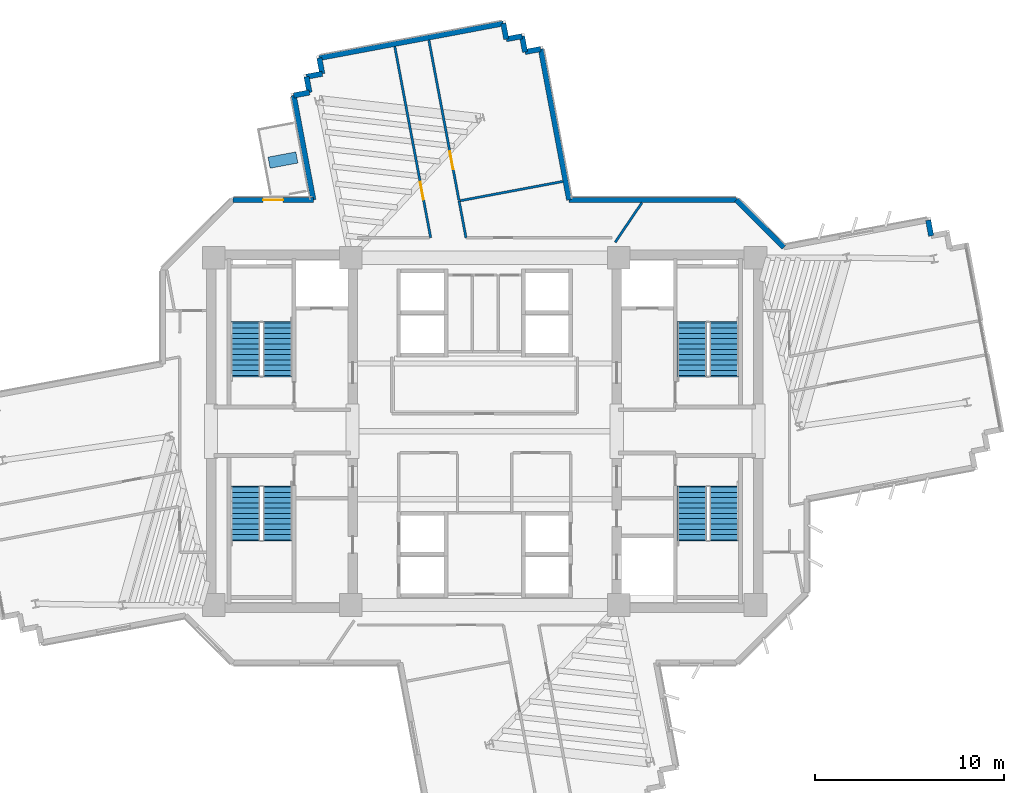
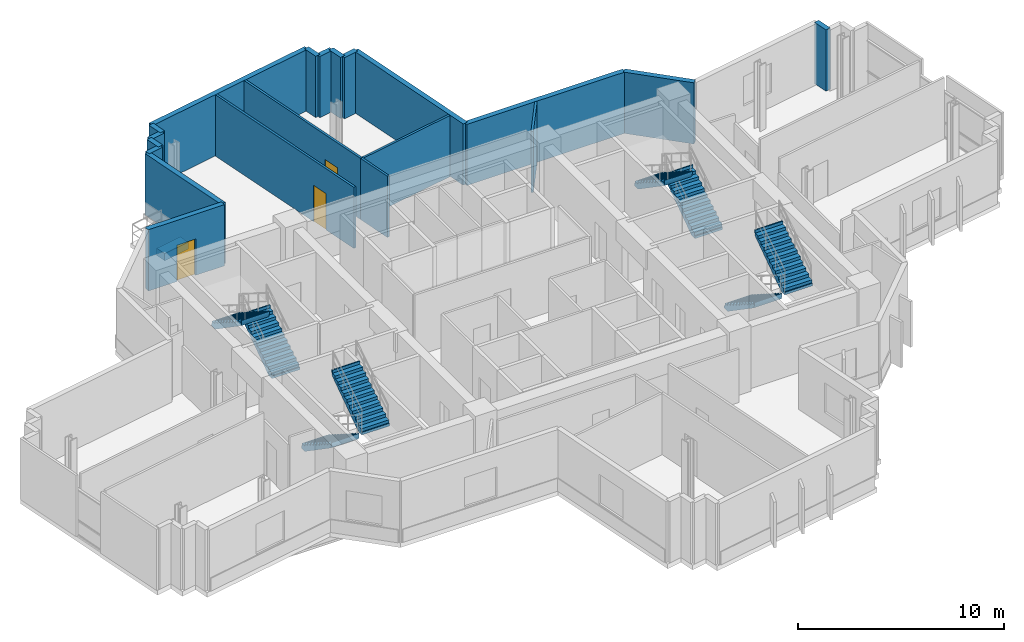
# One storey, part 12 of 16: 20 walls, 8 stair flights, 3 doors, 1 discrete accessory, 3 openings, 4 elements without a shape of their own.
"""IFC4 building model written with IfcOpenShell, lengths in metres."""

from ifc_helpers import new_model, si_unit, direction, frame, frame_2d, origin, origin_2d, place, context, subcontext, project, spatial, polyline, rectangle, outline, extrude, source, transform, mapped, material, layer, layer_set, type_object, element, fill, aggregate, save


model = new_model("IFC4")

# Units and contexts
model_context = context("Model", 3, precision=1e-05, world=origin(), true_north=direction((0.0, 1.0)))
body_context = subcontext(model_context, "Body", "Model", "MODEL_VIEW")
ifc_project = project(units=[si_unit("LENGTHUNIT", "METRE"), si_unit("AREAUNIT", "SQUARE_METRE"), si_unit("VOLUMEUNIT", "CUBIC_METRE"), si_unit("PLANEANGLEUNIT", "RADIAN"), si_unit("MASSUNIT", "GRAM", prefix="KILO")], contexts=[model_context])

# Site, building, storey
site_placement = place(None, origin())
site = spatial("IfcSite", under=ifc_project, at=site_placement, CompositionType="ELEMENT")
building_placement = place(site_placement, origin())
building = spatial("IfcBuilding", under=site, at=building_placement, Name="Zahravan Cultural Tower", CompositionType="ELEMENT")
storey_placement = place(building_placement, frame((0.0, 0.0, 147.300048828125)))
storey = spatial("IfcBuildingStorey", under=building, at=storey_placement, Name="L33", CompositionType="ELEMENT", Elevation=147.300048828125)

# Wall, opening, door
ifc_material_1 = material(Name="Precast concrete C40/50", Category="concrete")
ifc_layer_1 = layer(ifc_material_1, 0.280029296875)
ifc_layer_set_1 = layer_set([ifc_layer_1], Name="Precast concrete C40/50")
wall_type_1 = type_object("IfcWallType", Name="EW-TC-280", PredefinedType="SOLIDWALL", material=ifc_layer_set_1)
wall_1_placement = place(storey_placement, frame((22.657958984375, 39.260009765625, 0.0), z_axis=(0.0, 0.0, 1.0), x_axis=(1.0, 0.0, 0.0)))
wall_1 = element("IfcWall", 1, at=wall_1_placement, inside=storey, type_object=wall_type_1, Name="L33 Exterior Masonry Frame Wall 39", PredefinedType="SOLIDWALL", context=body_context, shape_type="SweptSolid", body=[
    extrude(rectangle(XDim=4.262451171875, YDim=0.280029296875, at=frame_2d((2.13134765625, 0.0))), origin(), (0.0, 0.0, 1.0), 3.619873046875),
])
opening_1_placement = place(wall_1_placement, frame((1.60595703125, 0.0, 0.0)))
opening_1 = element("IfcOpeningElement", 2, at=opening_1_placement, cuts=wall_1, Name="Opening D-L33-TR-NW", PredefinedType="OPENING", context=body_context, shape_type="SweptSolid", body=[
    extrude(rectangle(XDim=1.050048828125, YDim=2.14990234375, at=frame_2d((0.52490234375, 1.074951171875))), frame((0.0, 0.14990234375, 0.0), z_axis=(0.0, -1.0, 0.0), x_axis=(1.0, 0.0, 0.0)), (0.0, 0.0, 1.0), 0.300048828125),
])
ifc_material_2 = material(Name="Anodised bronze-aluminium mullion", Category="aluminium")
door_type_1 = type_object("IfcDoorType", Name="DR-TERR-1050", OperationType="NOTDEFINED", PredefinedType="DOOR", material=ifc_material_2)
shared_shape_1 = source(origin(), body_context, "Body", "SweptSolid", [
    extrude(rectangle(XDim=1.050048828125, YDim=2.14990234375, at=frame_2d((0.52490234375, 1.074951171875))), frame((0.0, 0.02490234375, 0.0), z_axis=(0.0, -1.0, 0.0), x_axis=(1.0, 0.0, 0.0)), (0.0, 0.0, 1.0), 0.050048828125),
])
door_1_placement = place(opening_1_placement, origin())
door_1 = element("IfcDoor", 3, at=door_1_placement, inside=storey, type_object=door_type_1, Name="L33 Terrace Access Door NW", OperationType="SINGLE_SWING_RIGHT", OverallHeight=2.14990234375, OverallWidth=1.050048828125, PredefinedType="DOOR", context=body_context, shape_type="MappedRepresentation", body=[
    mapped(shared_shape_1, transform((0.0, 0.0, 0.0), x_axis=(1.0, 0.0, 0.0), y_axis=(0.0, 1.0, 0.0), z_axis=(0.0, 0.0, 1.0), scale=1.0)),
])
fill(opening_1, door_1)

ifc_material_3 = material(Name="Gypsum plasterboard partition")
ifc_layer_2 = layer(ifc_material_3, 0.125)
ifc_layer_set_2 = layer_set([ifc_layer_2], Name="Gypsum plasterboard partition")
wall_type_2 = type_object("IfcWallType", Name="W-PART-125", PredefinedType="PARTITIONING", material=ifc_layer_set_2)
wall_2_placement = place(storey_placement, frame((34.638671875, 39.22900390625, 0.0), z_axis=(0.0, 0.0, 1.0), x_axis=(-0.18463806937, 0.982806584908, 0.0)))
wall_2 = element("IfcWall", 4, at=wall_2_placement, inside=storey, type_object=wall_type_2, Name="L33 Interior Wall 087", PredefinedType="PARTITIONING", context=body_context, shape_type="SweptSolid", body=[
    extrude(rectangle(XDim=8.64501953125, YDim=0.125, at=frame_2d((4.322509765625, 0.0))), origin(), (0.0, 0.0, 1.0), 3.619873046875),
])
opening_2_placement = place(wall_2_placement, frame((1.69287109375, 0.0, 0.0)))
opening_2 = element("IfcOpeningElement", 5, at=opening_2_placement, cuts=wall_2, Name="Opening D-L33-22", PredefinedType="OPENING", context=body_context, shape_type="SweptSolid", body=[
    extrude(rectangle(XDim=0.949951171875, YDim=2.14990234375, at=frame_2d((0.47509765625, 1.074951171875))), frame((0.0, 0.072509765625, 0.0), z_axis=(0.0, -1.0, 0.0), x_axis=(1.0, 0.0, 0.0)), (0.0, 0.0, 1.0), 0.14501953125),
])
door_type_2 = type_object("IfcDoorType", Name="DR-ROOM-950", OperationType="NOTDEFINED", PredefinedType="DOOR", material=ifc_material_2)
shared_shape_2 = source(origin(), body_context, "Body", "SweptSolid", [
    extrude(rectangle(XDim=0.949951171875, YDim=2.14990234375, at=frame_2d((0.47509765625, 1.074951171875))), frame((0.0, 0.02490234375, 0.0), z_axis=(0.0, -1.0, 0.0), x_axis=(1.0, 0.0, 0.0)), (0.0, 0.0, 1.0), 0.050048828125),
])
door_2_placement = place(opening_2_placement, origin())
door_2 = element("IfcDoor", 6, at=door_2_placement, inside=storey, type_object=door_type_2, Name="L33 Door D-L33-22", OperationType="SINGLE_SWING_RIGHT", OverallHeight=2.14990234375, OverallWidth=0.949951171875, PredefinedType="DOOR", context=body_context, shape_type="MappedRepresentation", body=[
    mapped(shared_shape_2, transform((0.0, 0.0, 0.0), x_axis=(1.0, 0.0, 0.0), y_axis=(0.0, 1.0, 0.0), z_axis=(0.0, 0.0, 1.0), scale=1.0)),
])
fill(opening_2, door_2)

wall_3_placement = place(storey_placement, frame((31.234130859375, 47.385498046875, 0.0), z_axis=(0.0, 0.0, 1.0), x_axis=(0.184646211839, -0.982805055163, 0.0)))
wall_3 = element("IfcWall", 7, at=wall_3_placement, inside=storey, type_object=wall_type_2, Name="L33 Interior Wall 099", PredefinedType="PARTITIONING", context=body_context, shape_type="SweptSolid", body=[
    extrude(rectangle(XDim=10.302734375, YDim=0.125, at=frame_2d((5.1513671875, 0.0))), origin(), (0.0, 0.0, 1.0), 3.619873046875),
])
opening_3_placement = place(wall_3_placement, frame((7.295166015625, 0.0, 0.0)))
opening_3 = element("IfcOpeningElement", 8, at=opening_3_placement, cuts=wall_3, Name="Opening D-L33-23", PredefinedType="OPENING", context=body_context, shape_type="SweptSolid", body=[
    extrude(rectangle(XDim=0.949951171875, YDim=2.14990234375, at=frame_2d((0.47509765625, 1.074951171875))), frame((0.0, 0.072509765625, 0.0), z_axis=(0.0, -1.0, 0.0), x_axis=(1.0, 0.0, 0.0)), (0.0, 0.0, 1.0), 0.14501953125),
])
door_3_placement = place(opening_3_placement, origin())
door_3 = element("IfcDoor", 9, at=door_3_placement, inside=storey, type_object=door_type_2, Name="L33 Door D-L33-23", OperationType="SINGLE_SWING_LEFT", OverallHeight=2.14990234375, OverallWidth=0.949951171875, PredefinedType="DOOR", context=body_context, shape_type="MappedRepresentation", body=[
    mapped(shared_shape_2, transform((0.0, 0.0, 0.0), x_axis=(1.0, 0.0, 0.0), y_axis=(0.0, 1.0, 0.0), z_axis=(0.0, 0.0, 1.0), scale=1.0)),
])
fill(opening_3, door_3)

# Walls
shared_shape_3 = source(origin(), body_context, "Body", "SweptSolid", [
    extrude(rectangle(XDim=0.85009765625, YDim=0.280029296875, at=frame_2d((0.425048828125, 0.0))), origin(), (0.0, 0.0, 1.0), 3.619873046875),
])
for number, where, z_axis, x_axis, name in (
    (10, (59.497802734375, 38.19091796875, 0.0), (0.0, 0.0, 1.0), (0.184670010318, -0.982800583684, 0.0), "L33 Exterior Masonry Frame Wall 02"),
    (11, (25.8798828125, 44.79736328125, 0.0), (0.0, 0.0, 1.0), (0.982800583684, 0.184670010318, 0.0), "L33 Exterior Masonry Frame Wall 41"),
    (12, (26.71533203125, 44.954345703125, 0.0), (0.0, 0.0, 1.0), (-0.184670010318, 0.982800583684, 0.0), "L33 Exterior Masonry Frame Wall 42"),
    (13, (26.558349609375, 45.789794921875, 0.0), (0.0, 0.0, 1.0), (0.982800583684, 0.184670010318, 0.0), "L33 Exterior Masonry Frame Wall 43"),
    (14, (27.393798828125, 45.94677734375, 0.0), (0.0, 0.0, 1.0), (-0.184670010318, 0.982800583684, 0.0), "L33 Exterior Masonry Frame Wall 44"),
    (15, (36.986083984375, 48.61376953125, 0.0), (0.0, 0.0, 1.0), (0.184670010318, -0.982800583684, 0.0), "L33 Exterior Masonry Frame Wall 46"),
    (16, (37.14306640625, 47.7783203125, 0.0), (0.0, 0.0, 1.0), (0.982800583684, 0.184670010318, 0.0), "L33 Exterior Masonry Frame Wall 47"),
    (17, (37.978515625, 47.935302734375, 0.0), (0.0, 0.0, 1.0), (0.184670010318, -0.982800583684, 0.0), "L33 Exterior Masonry Frame Wall 48"),
    (18, (38.135498046875, 47.099853515625, 0.0), (0.0, 0.0, 1.0), (0.982800583684, 0.184670010318, 0.0), "L33 Exterior Masonry Frame Wall 49"),
):
    element("IfcWall", number, at=place(storey_placement, frame(where, z_axis=z_axis, x_axis=x_axis)), inside=storey, type_object=wall_type_1, Name=name, PredefinedType="SOLIDWALL", context=body_context, shape_type="MappedRepresentation", body=[
        mapped(shared_shape_3, transform((0.0, 0.0, 0.0), x_axis=(1.0, 0.0, 0.0), y_axis=(0.0, 1.0, 0.0), z_axis=(0.0, 0.0, 1.0), scale=1.0)),
    ])
shared_shape_4 = source(origin(), body_context, "Body", "SweptSolid", [
    extrude(rectangle(XDim=9.919921875, YDim=0.280029296875, at=frame_2d((4.9599609375, 0.0))), origin(), (0.0, 0.0, 1.0), 3.619873046875),
])
wall_4_placement = place(storey_placement, frame((27.23681640625, 46.7822265625, 0.0), z_axis=(0.0, 0.0, 1.0), x_axis=(0.982807207568, 0.184634754994, 0.0)))
element("IfcWall", 19, at=wall_4_placement, inside=storey, type_object=wall_type_1, Name="L33 Exterior Masonry Frame Wall 45", PredefinedType="SOLIDWALL", context=body_context, shape_type="MappedRepresentation", body=[
    mapped(shared_shape_4, transform((0.0, 0.0, 0.0), x_axis=(1.0, 0.0, 0.0), y_axis=(0.0, 1.0, 0.0), z_axis=(0.0, 0.0, 1.0), scale=1.0)),
])
shared_shape_5 = source(origin(), body_context, "Body", "SweptSolid", [
    extrude(rectangle(XDim=5.63427734375, YDim=0.280029296875, at=frame_2d((2.817138671875, 0.0))), origin(), (0.0, 0.0, 1.0), 3.619873046875),
])
wall_5_placement = place(storey_placement, frame((26.92041015625, 39.260009765625, 0.0), z_axis=(0.0, 0.0, 1.0), x_axis=(-0.184678339457, 0.982799018587, 0.0)))
element("IfcWall", 20, at=wall_5_placement, inside=storey, type_object=wall_type_1, Name="L33 Exterior Masonry Frame Wall 40", PredefinedType="SOLIDWALL", context=body_context, shape_type="MappedRepresentation", body=[
    mapped(shared_shape_5, transform((0.0, 0.0, 0.0), x_axis=(1.0, 0.0, 0.0), y_axis=(0.0, 1.0, 0.0), z_axis=(0.0, 0.0, 1.0), scale=1.0)),
])
shared_shape_6 = source(origin(), body_context, "Body", "SweptSolid", [
    extrude(rectangle(XDim=8.13671875, YDim=0.280029296875, at=frame_2d((4.068359375, 0.0))), origin(), (0.0, 0.0, 1.0), 3.619873046875),
])
wall_6_placement = place(storey_placement, frame((38.970947265625, 47.2568359375, 0.0), z_axis=(0.0, 0.0, 1.0), x_axis=(0.184649032166, -0.982804525285, 0.0)))
element("IfcWall", 21, at=wall_6_placement, inside=storey, type_object=wall_type_1, Name="L33 Exterior Masonry Frame Wall 50", PredefinedType="SOLIDWALL", context=body_context, shape_type="MappedRepresentation", body=[
    mapped(shared_shape_6, transform((0.0, 0.0, 0.0), x_axis=(1.0, 0.0, 0.0), y_axis=(0.0, 1.0, 0.0), z_axis=(0.0, 0.0, 1.0), scale=1.0)),
])
shared_shape_7 = source(origin(), body_context, "Body", "SweptSolid", [
    extrude(rectangle(XDim=8.86865234375, YDim=0.280029296875, at=frame_2d((4.434326171875, 0.0))), origin(), (0.0, 0.0, 1.0), 3.619873046875),
])
wall_7_placement = place(storey_placement, frame((40.473388671875, 39.260009765625, 0.0), z_axis=(0.0, 0.0, 1.0), x_axis=(1.0, 0.0, 0.0)))
element("IfcWall", 22, at=wall_7_placement, inside=storey, type_object=wall_type_1, Name="L33 Exterior Masonry Frame Wall 51", PredefinedType="SOLIDWALL", context=body_context, shape_type="MappedRepresentation", body=[
    mapped(shared_shape_7, transform((0.0, 0.0, 0.0), x_axis=(1.0, 0.0, 0.0), y_axis=(0.0, 1.0, 0.0), z_axis=(0.0, 0.0, 1.0), scale=1.0)),
])
shared_shape_8 = source(origin(), body_context, "Body", "SweptSolid", [
    extrude(rectangle(XDim=3.544189453125, YDim=0.280029296875, at=frame_2d((1.77197265625, 0.0))), origin(), (0.0, 0.0, 1.0), 3.619873046875),
])
wall_8_placement = place(storey_placement, frame((49.342041015625, 39.260009765625, 0.0), z_axis=(0.0, 0.0, 1.0), x_axis=(0.707106781187, -0.707106781187, 0.0)))
element("IfcWall", 23, at=wall_8_placement, inside=storey, type_object=wall_type_1, Name="L33 Exterior Masonry Frame Wall 52", PredefinedType="SOLIDWALL", context=body_context, shape_type="MappedRepresentation", body=[
    mapped(shared_shape_8, transform((0.0, 0.0, 0.0), x_axis=(1.0, 0.0, 0.0), y_axis=(0.0, 1.0, 0.0), z_axis=(0.0, 0.0, 1.0), scale=1.0)),
])
shared_shape_9 = source(origin(), body_context, "Body", "SweptSolid", [
    extrude(rectangle(XDim=1.9833984375, YDim=0.125, at=frame_2d((0.99169921875, 0.0))), origin(), (0.0, 0.0, 1.0), 3.619873046875),
])
wall_9_placement = place(storey_placement, frame((35.008544921875, 37.260009765625, 0.0), z_axis=(0.0, 0.0, 1.0), x_axis=(-0.184645271511, 0.982805231828, 0.0)))
element("IfcWall", 24, at=wall_9_placement, inside=storey, type_object=wall_type_2, Name="L33 Interior Wall 077", PredefinedType="PARTITIONING", context=body_context, shape_type="MappedRepresentation", body=[
    mapped(shared_shape_9, transform((0.0, 0.0, 0.0), x_axis=(1.0, 0.0, 0.0), y_axis=(0.0, 1.0, 0.0), z_axis=(0.0, 0.0, 1.0), scale=1.0)),
])
shared_shape_10 = source(origin(), body_context, "Body", "SweptSolid", [
    extrude(rectangle(XDim=5.52734375, YDim=0.125, at=frame_2d((2.763671875, 0.0))), origin(), (0.0, 0.0, 1.0), 3.619873046875),
])
wall_10_placement = place(storey_placement, frame((34.708740234375, 39.2216796875, 0.0), z_axis=(0.0, 0.0, 1.0), x_axis=(0.982808624954, 0.184627210117, 0.0)))
element("IfcWall", 25, at=wall_10_placement, inside=storey, type_object=wall_type_2, Name="L33 Interior Wall 078", PredefinedType="PARTITIONING", context=body_context, shape_type="MappedRepresentation", body=[
    mapped(shared_shape_10, transform((0.0, 0.0, 0.0), x_axis=(1.0, 0.0, 0.0), y_axis=(0.0, 1.0, 0.0), z_axis=(0.0, 0.0, 1.0), scale=1.0)),
])
shared_shape_11 = source(origin(), body_context, "Body", "SweptSolid", [
    extrude(rectangle(XDim=2.529541015625, YDim=0.125, at=frame_2d((1.2646484375, 0.0))), origin(), (0.0, 0.0, 1.0), 3.619873046875),
])
wall_11_placement = place(storey_placement, frame((44.330322265625, 39.114990234375, 0.0), z_axis=(0.0, 0.0, 1.0), x_axis=(-0.560455418396, -0.82818459536, 0.0)))
element("IfcWall", 26, at=wall_11_placement, inside=storey, type_object=wall_type_2, Name="L33 Interior Wall 079", PredefinedType="PARTITIONING", context=body_context, shape_type="MappedRepresentation", body=[
    mapped(shared_shape_11, transform((0.0, 0.0, 0.0), x_axis=(1.0, 0.0, 0.0), y_axis=(0.0, 1.0, 0.0), z_axis=(0.0, 0.0, 1.0), scale=1.0)),
])

# Stair, stair flights
ifc_material_4 = material(Name="Concrete C45/55", Category="concrete")
stair_type = type_object("IfcStairType", Name="STR-DL-1550-390", PredefinedType="HALF_TURN_STAIR", material=ifc_material_4)
stair_1_placement = place(storey_placement, origin())
stair_1 = element("IfcStair", 27, at=stair_1_placement, inside=storey, type_object=stair_type, Name="L33 West Core North Exit Stair ST-W1", PredefinedType="HALF_TURN_STAIR")
stair_flight_type = type_object("IfcStairFlightType", Name="FLG-DL-1550-390", PredefinedType="STRAIGHT", material=ifc_material_4)
stair_flight_1_placement = place(storey_placement, frame((25.02490234375, 29.949951171875, 0.0), z_axis=(0.0, 0.0, 1.0), x_axis=(0.0, 1.0, 0.0)))
stair_flight_1 = element("IfcStairFlight", 28, at=stair_flight_1_placement, type_object=stair_flight_type, Name="ST-W1 flight 1", NumberOfRisers=11, NumberOfTreads=10, PredefinedType="STRAIGHT", RiserHeight=0.177272727, TreadLength=0.28, context=body_context, shape_type="SweptSolid", body=[
    extrude(outline(polyline([(-0.06494140625, -0.139892578125), (-0.06494140625, 0.0), (0.0, 0.0), (0.0, 0.17724609375), (0.280029296875, 0.17724609375), (0.280029296875, 0.3544921875), (0.56005859375, 0.3544921875), (0.56005859375, 0.53173828125), (0.840087890625, 0.53173828125), (0.840087890625, 0.708984375), (1.1201171875, 0.708984375), (1.1201171875, 0.886474609375), (1.39990234375, 0.886474609375), (1.39990234375, 1.063720703125), (1.679931640625, 1.063720703125), (1.679931640625, 1.240966796875), (1.9599609375, 1.240966796875), (1.9599609375, 1.418212890625), (2.239990234375, 1.418212890625), (2.239990234375, 1.595458984375), (2.52001953125, 1.595458984375), (2.52001953125, 1.772705078125), (2.800048828125, 1.772705078125), (2.800048828125, 1.949951171875), (2.864990234375, 1.949951171875), (2.864990234375, 1.800048828125), (2.800048828125, 1.59521484375), (0.2802734375, -0.139892578125), (-0.06494140625, -0.139892578125)])), frame((0.0, 0.77490234375, 0.0), z_axis=(0.0, -1.0, 0.0), x_axis=(1.0, 0.0, 0.0)), (0.0, 0.0, 1.0), 1.550048828125),
])
stair_flight_2_placement = place(storey_placement, frame((23.324951171875, 32.75, 1.949951171875), z_axis=(0.0, 0.0, 1.0), x_axis=(0.0, -1.0, 0.0)))
stair_flight_2 = element("IfcStairFlight", 29, at=stair_flight_2_placement, type_object=stair_flight_type, Name="ST-W1 flight 2", NumberOfRisers=11, NumberOfTreads=10, PredefinedType="STRAIGHT", RiserHeight=0.177272727, TreadLength=0.28, context=body_context, shape_type="SweptSolid", body=[
    extrude(outline(polyline([(-0.06494140625, -0.139892578125), (-0.06494140625, 0.0), (0.0, 0.0), (0.0, 0.17724609375), (0.280029296875, 0.17724609375), (0.280029296875, 0.3544921875), (0.56005859375, 0.3544921875), (0.56005859375, 0.53173828125), (0.840087890625, 0.53173828125), (0.840087890625, 0.708984375), (1.1201171875, 0.708984375), (1.1201171875, 0.886474609375), (1.39990234375, 0.886474609375), (1.39990234375, 1.063720703125), (1.679931640625, 1.063720703125), (1.679931640625, 1.240966796875), (1.9599609375, 1.240966796875), (1.9599609375, 1.418212890625), (2.239990234375, 1.418212890625), (2.239990234375, 1.595458984375), (2.52001953125, 1.595458984375), (2.52001953125, 1.772705078125), (2.800048828125, 1.772705078125), (2.800048828125, 1.949951171875), (2.864990234375, 1.949951171875), (2.864990234375, 1.800048828125), (2.800048828125, 1.59521484375), (0.2802734375, -0.139892578125), (-0.06494140625, -0.139892578125)])), frame((0.0, 0.77490234375, 0.0), z_axis=(0.0, -1.0, 0.0), x_axis=(1.0, 0.0, 0.0)), (0.0, 0.0, 1.0), 1.550048828125),
])
aggregate(stair_1, [stair_flight_1, stair_flight_2])

stair_2_placement = place(storey_placement, origin())
stair_2 = element("IfcStair", 30, at=stair_2_placement, inside=storey, type_object=stair_type, Name="L33 West Core South Exit Stair ST-W2", PredefinedType="HALF_TURN_STAIR")
stair_flight_3_placement = place(storey_placement, frame((23.324951171875, 24.050048828125, 0.0), z_axis=(0.0, 0.0, 1.0), x_axis=(0.0, -1.0, 0.0)))
stair_flight_3 = element("IfcStairFlight", 31, at=stair_flight_3_placement, type_object=stair_flight_type, Name="ST-W2 flight 1", NumberOfRisers=11, NumberOfTreads=10, PredefinedType="STRAIGHT", RiserHeight=0.177272727, TreadLength=0.28, context=body_context, shape_type="SweptSolid", body=[
    extrude(outline(polyline([(-0.06494140625, -0.139892578125), (-0.06494140625, 0.0), (0.0, 0.0), (0.0, 0.17724609375), (0.280029296875, 0.17724609375), (0.280029296875, 0.3544921875), (0.56005859375, 0.3544921875), (0.56005859375, 0.53173828125), (0.840087890625, 0.53173828125), (0.840087890625, 0.708984375), (1.1201171875, 0.708984375), (1.1201171875, 0.886474609375), (1.39990234375, 0.886474609375), (1.39990234375, 1.063720703125), (1.679931640625, 1.063720703125), (1.679931640625, 1.240966796875), (1.9599609375, 1.240966796875), (1.9599609375, 1.418212890625), (2.239990234375, 1.418212890625), (2.239990234375, 1.595458984375), (2.52001953125, 1.595458984375), (2.52001953125, 1.772705078125), (2.800048828125, 1.772705078125), (2.800048828125, 1.949951171875), (2.864990234375, 1.949951171875), (2.864990234375, 1.800048828125), (2.800048828125, 1.59521484375), (0.2802734375, -0.139892578125), (-0.06494140625, -0.139892578125)])), frame((0.0, 0.77490234375, 0.0), z_axis=(0.0, -1.0, 0.0), x_axis=(1.0, 0.0, 0.0)), (0.0, 0.0, 1.0), 1.550048828125),
])
stair_flight_4_placement = place(storey_placement, frame((25.02490234375, 21.25, 1.949951171875), z_axis=(0.0, 0.0, 1.0), x_axis=(0.0, 1.0, 0.0)))
stair_flight_4 = element("IfcStairFlight", 32, at=stair_flight_4_placement, type_object=stair_flight_type, Name="ST-W2 flight 2", NumberOfRisers=11, NumberOfTreads=10, PredefinedType="STRAIGHT", RiserHeight=0.177272727, TreadLength=0.28, context=body_context, shape_type="SweptSolid", body=[
    extrude(outline(polyline([(-0.06494140625, -0.139892578125), (-0.06494140625, 0.0), (0.0, 0.0), (0.0, 0.17724609375), (0.280029296875, 0.17724609375), (0.280029296875, 0.3544921875), (0.56005859375, 0.3544921875), (0.56005859375, 0.53173828125), (0.840087890625, 0.53173828125), (0.840087890625, 0.708984375), (1.1201171875, 0.708984375), (1.1201171875, 0.886474609375), (1.39990234375, 0.886474609375), (1.39990234375, 1.063720703125), (1.679931640625, 1.063720703125), (1.679931640625, 1.240966796875), (1.9599609375, 1.240966796875), (1.9599609375, 1.418212890625), (2.239990234375, 1.418212890625), (2.239990234375, 1.595458984375), (2.52001953125, 1.595458984375), (2.52001953125, 1.772705078125), (2.800048828125, 1.772705078125), (2.800048828125, 1.949951171875), (2.864990234375, 1.949951171875), (2.864990234375, 1.800048828125), (2.800048828125, 1.59521484375), (0.2802734375, -0.139892578125), (-0.06494140625, -0.139892578125)])), frame((0.0, 0.77490234375, 0.0), z_axis=(0.0, -1.0, 0.0), x_axis=(1.0, 0.0, 0.0)), (0.0, 0.0, 1.0), 1.550048828125),
])
aggregate(stair_2, [stair_flight_3, stair_flight_4])

stair_3_placement = place(storey_placement, origin())
stair_3 = element("IfcStair", 33, at=stair_3_placement, inside=storey, type_object=stair_type, Name="L33 East Core North Exit Stair ST-E1", PredefinedType="HALF_TURN_STAIR")
stair_flight_5_placement = place(storey_placement, frame((48.675048828125, 29.949951171875, 0.0), z_axis=(0.0, 0.0, 1.0), x_axis=(0.0, 1.0, 0.0)))
stair_flight_5 = element("IfcStairFlight", 34, at=stair_flight_5_placement, type_object=stair_flight_type, Name="ST-E1 flight 1", NumberOfRisers=11, NumberOfTreads=10, PredefinedType="STRAIGHT", RiserHeight=0.177272727, TreadLength=0.28, context=body_context, shape_type="SweptSolid", body=[
    extrude(outline(polyline([(-0.06494140625, -0.139892578125), (-0.06494140625, 0.0), (0.0, 0.0), (0.0, 0.17724609375), (0.280029296875, 0.17724609375), (0.280029296875, 0.3544921875), (0.56005859375, 0.3544921875), (0.56005859375, 0.53173828125), (0.840087890625, 0.53173828125), (0.840087890625, 0.708984375), (1.1201171875, 0.708984375), (1.1201171875, 0.886474609375), (1.39990234375, 0.886474609375), (1.39990234375, 1.063720703125), (1.679931640625, 1.063720703125), (1.679931640625, 1.240966796875), (1.9599609375, 1.240966796875), (1.9599609375, 1.418212890625), (2.239990234375, 1.418212890625), (2.239990234375, 1.595458984375), (2.52001953125, 1.595458984375), (2.52001953125, 1.772705078125), (2.800048828125, 1.772705078125), (2.800048828125, 1.949951171875), (2.864990234375, 1.949951171875), (2.864990234375, 1.800048828125), (2.800048828125, 1.59521484375), (0.2802734375, -0.139892578125), (-0.06494140625, -0.139892578125)])), frame((0.0, 0.77490234375, 0.0), z_axis=(0.0, -1.0, 0.0), x_axis=(1.0, 0.0, 0.0)), (0.0, 0.0, 1.0), 1.550048828125),
])
stair_flight_6_placement = place(storey_placement, frame((46.97509765625, 32.75, 1.949951171875), z_axis=(0.0, 0.0, 1.0), x_axis=(0.0, -1.0, 0.0)))
stair_flight_6 = element("IfcStairFlight", 35, at=stair_flight_6_placement, type_object=stair_flight_type, Name="ST-E1 flight 2", NumberOfRisers=11, NumberOfTreads=10, PredefinedType="STRAIGHT", RiserHeight=0.177272727, TreadLength=0.28, context=body_context, shape_type="SweptSolid", body=[
    extrude(outline(polyline([(-0.06494140625, -0.139892578125), (-0.06494140625, 0.0), (0.0, 0.0), (0.0, 0.17724609375), (0.280029296875, 0.17724609375), (0.280029296875, 0.3544921875), (0.56005859375, 0.3544921875), (0.56005859375, 0.53173828125), (0.840087890625, 0.53173828125), (0.840087890625, 0.708984375), (1.1201171875, 0.708984375), (1.1201171875, 0.886474609375), (1.39990234375, 0.886474609375), (1.39990234375, 1.063720703125), (1.679931640625, 1.063720703125), (1.679931640625, 1.240966796875), (1.9599609375, 1.240966796875), (1.9599609375, 1.418212890625), (2.239990234375, 1.418212890625), (2.239990234375, 1.595458984375), (2.52001953125, 1.595458984375), (2.52001953125, 1.772705078125), (2.800048828125, 1.772705078125), (2.800048828125, 1.949951171875), (2.864990234375, 1.949951171875), (2.864990234375, 1.800048828125), (2.800048828125, 1.59521484375), (0.2802734375, -0.139892578125), (-0.06494140625, -0.139892578125)])), frame((0.0, 0.77490234375, 0.0), z_axis=(0.0, -1.0, 0.0), x_axis=(1.0, 0.0, 0.0)), (0.0, 0.0, 1.0), 1.550048828125),
])
aggregate(stair_3, [stair_flight_5, stair_flight_6])

stair_4_placement = place(storey_placement, origin())
stair_4 = element("IfcStair", 36, at=stair_4_placement, inside=storey, type_object=stair_type, Name="L33 East Core South Exit Stair ST-E2", PredefinedType="HALF_TURN_STAIR")
stair_flight_7_placement = place(storey_placement, frame((46.97509765625, 24.050048828125, 0.0), z_axis=(0.0, 0.0, 1.0), x_axis=(0.0, -1.0, 0.0)))
stair_flight_7 = element("IfcStairFlight", 37, at=stair_flight_7_placement, type_object=stair_flight_type, Name="ST-E2 flight 1", NumberOfRisers=11, NumberOfTreads=10, PredefinedType="STRAIGHT", RiserHeight=0.177272727, TreadLength=0.28, context=body_context, shape_type="SweptSolid", body=[
    extrude(outline(polyline([(-0.06494140625, -0.139892578125), (-0.06494140625, 0.0), (0.0, 0.0), (0.0, 0.17724609375), (0.280029296875, 0.17724609375), (0.280029296875, 0.3544921875), (0.56005859375, 0.3544921875), (0.56005859375, 0.53173828125), (0.840087890625, 0.53173828125), (0.840087890625, 0.708984375), (1.1201171875, 0.708984375), (1.1201171875, 0.886474609375), (1.39990234375, 0.886474609375), (1.39990234375, 1.063720703125), (1.679931640625, 1.063720703125), (1.679931640625, 1.240966796875), (1.9599609375, 1.240966796875), (1.9599609375, 1.418212890625), (2.239990234375, 1.418212890625), (2.239990234375, 1.595458984375), (2.52001953125, 1.595458984375), (2.52001953125, 1.772705078125), (2.800048828125, 1.772705078125), (2.800048828125, 1.949951171875), (2.864990234375, 1.949951171875), (2.864990234375, 1.800048828125), (2.800048828125, 1.59521484375), (0.2802734375, -0.139892578125), (-0.06494140625, -0.139892578125)])), frame((0.0, 0.77490234375, 0.0), z_axis=(0.0, -1.0, 0.0), x_axis=(1.0, 0.0, 0.0)), (0.0, 0.0, 1.0), 1.550048828125),
])
stair_flight_8_placement = place(storey_placement, frame((48.675048828125, 21.25, 1.949951171875), z_axis=(0.0, 0.0, 1.0), x_axis=(0.0, 1.0, 0.0)))
stair_flight_8 = element("IfcStairFlight", 38, at=stair_flight_8_placement, type_object=stair_flight_type, Name="ST-E2 flight 2", NumberOfRisers=11, NumberOfTreads=10, PredefinedType="STRAIGHT", RiserHeight=0.177272727, TreadLength=0.28, context=body_context, shape_type="SweptSolid", body=[
    extrude(outline(polyline([(-0.06494140625, -0.139892578125), (-0.06494140625, 0.0), (0.0, 0.0), (0.0, 0.17724609375), (0.280029296875, 0.17724609375), (0.280029296875, 0.3544921875), (0.56005859375, 0.3544921875), (0.56005859375, 0.53173828125), (0.840087890625, 0.53173828125), (0.840087890625, 0.708984375), (1.1201171875, 0.708984375), (1.1201171875, 0.886474609375), (1.39990234375, 0.886474609375), (1.39990234375, 1.063720703125), (1.679931640625, 1.063720703125), (1.679931640625, 1.240966796875), (1.9599609375, 1.240966796875), (1.9599609375, 1.418212890625), (2.239990234375, 1.418212890625), (2.239990234375, 1.595458984375), (2.52001953125, 1.595458984375), (2.52001953125, 1.772705078125), (2.800048828125, 1.772705078125), (2.800048828125, 1.949951171875), (2.864990234375, 1.949951171875), (2.864990234375, 1.800048828125), (2.800048828125, 1.59521484375), (0.2802734375, -0.139892578125), (-0.06494140625, -0.139892578125)])), frame((0.0, 0.77490234375, 0.0), z_axis=(0.0, -1.0, 0.0), x_axis=(1.0, 0.0, 0.0)), (0.0, 0.0, 1.0), 1.550048828125),
])
aggregate(stair_4, [stair_flight_7, stair_flight_8])

# Discrete accessory
ifc_material_5 = material(Name="Planted soil and terracotta planter", Category="masonry")
discrete_accessory_type = type_object("IfcDiscreteAccessoryType", Name="ACC-PLANTER-TC", PredefinedType="USERDEFINED", material=ifc_material_5)
shared_shape_12 = source(origin(), body_context, "Body", "SweptSolid", [
    extrude(rectangle(XDim=1.5, YDim=0.60009765625, at=origin_2d()), origin(), (0.0, 0.0, 1.0), 0.419921875),
])
discrete_accessory_placement = place(storey_placement, frame((25.309814453125, 41.373291015625, 0.0), z_axis=(0.0, 0.0, 1.0), x_axis=(0.982806687355, 0.184637524056, 0.0)))
element("IfcDiscreteAccessory", 39, at=discrete_accessory_placement, inside=storey, type_object=discrete_accessory_type, Name="L33 Terracotta Sculpture Planter NW", ObjectType="PLANTER", PredefinedType="USERDEFINED", context=body_context, shape_type="MappedRepresentation", body=[
    mapped(shared_shape_12, transform((0.0, 0.0, 0.0), x_axis=(1.0, 0.0, 0.0), y_axis=(0.0, 1.0, 0.0), z_axis=(0.0, 0.0, 1.0), scale=1.0)),
])

save(model, "model.ifc")
